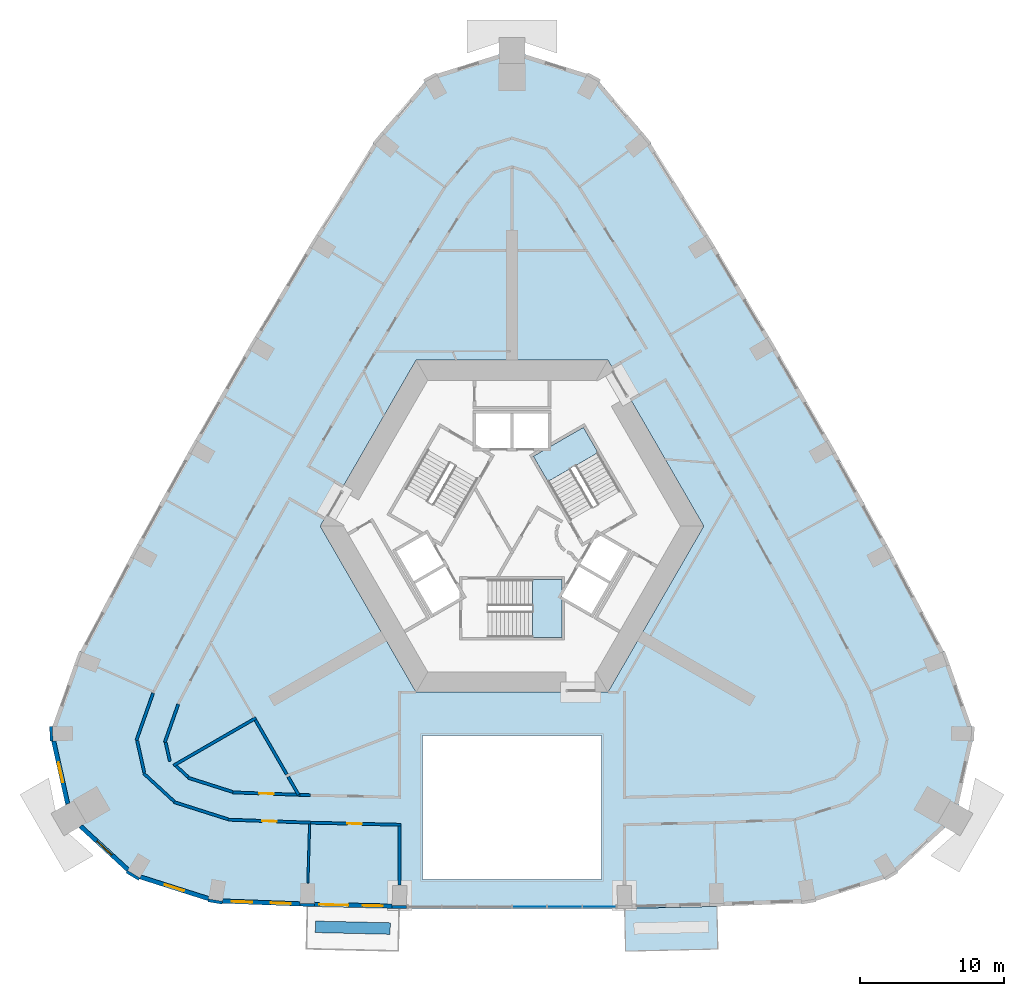
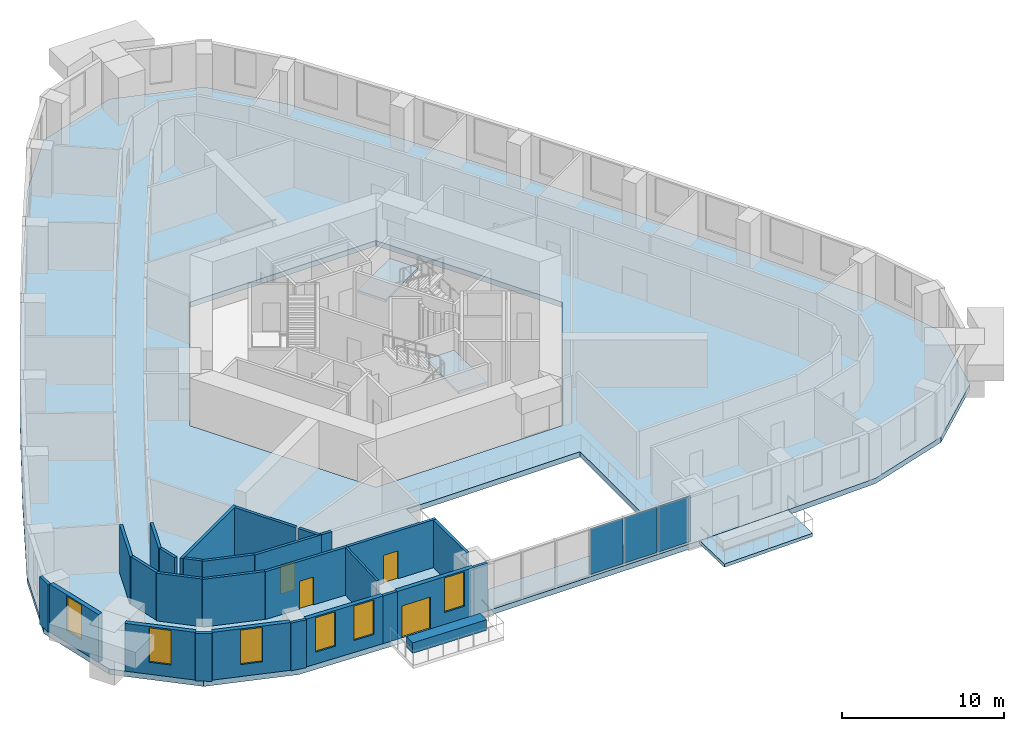
# One storey, part 3 of 13: 28 walls, 6 windows, 4 doors, 4 slabs, 3 plates, 10 openings, 3 elements without a shape of their own.
"""IFC4 building model written with IfcOpenShell, lengths in metres."""

from ifc_helpers import new_model, si_unit, direction, frame, frame_2d, origin, origin_2d, place, context, subcontext, project, spatial, polyline, rectangle, outline, extrude, material, layer, layer_set, type_object, element, fill, aggregate, save


model = new_model("IFC4")

# Units and contexts
model_context = context("Model", 3, precision=1e-05, world=origin(), true_north=direction((0.0, 1.0)))
body_context = subcontext(model_context, "Body", "Model", "MODEL_VIEW")
ifc_project = project(units=[si_unit("LENGTHUNIT", "METRE"), si_unit("AREAUNIT", "SQUARE_METRE"), si_unit("VOLUMEUNIT", "CUBIC_METRE"), si_unit("PLANEANGLEUNIT", "RADIAN"), si_unit("MASSUNIT", "GRAM", prefix="KILO")], contexts=[model_context])

# Site, building, storey
site_placement = place(None, origin())
site = spatial("IfcSite", under=ifc_project, at=site_placement, CompositionType="ELEMENT")
building_placement = place(site_placement, origin())
building = spatial("IfcBuilding", under=site, at=building_placement, Name="Entoto Arch Interchange Tower", CompositionType="ELEMENT")
storey_placement = place(building_placement, frame((0.0, 0.0, 231.800048828125)))
storey = spatial("IfcBuildingStorey", under=building, at=storey_placement, Name="L52", CompositionType="ELEMENT", Elevation=231.800048828125)

# Slab
ifc_material_1 = material(Name="Board-marked precast concrete C50/60", Category="concrete")
ifc_layer_1 = layer(ifc_material_1, 0.25)
ifc_layer_set_1 = layer_set([ifc_layer_1], Name="Board-marked precast concrete C50/60")
slab_type_1 = type_object("IfcSlabType", Name="BALCONY DECK PRECAST 250", PredefinedType="FLOOR", material=ifc_layer_set_1)
slab_1_placement = place(storey_placement, frame((0.0, 0.0, -0.25)))
element("IfcSlab", 1, at=slab_1_placement, inside=storey, type_object=slab_type_1, Name="Planted balcony S-04 L52", PredefinedType="FLOOR", context=body_context, shape_type="SweptSolid", body=[
    extrude(outline(polyline([(7.800048828125, -23.97802734375), (14.18505859375, -23.830078125), (14.2529296875, -26.779052734375), (7.867919921875, -26.927001953125), (7.800048828125, -23.97802734375)])), origin(), (0.0, 0.0, 1.0), 0.25),
])

# Stair, slab
ifc_material_2 = material(Name="Concrete C40/50", Category="concrete")
stair_type = type_object("IfcStairType", Name="EXIT STAIR RC 1800", PredefinedType="HALF_TURN_STAIR", material=ifc_material_2)
stair_1_placement = place(storey_placement, origin())
stair_1 = element("IfcStair", 2, at=stair_1_placement, inside=storey, type_object=stair_type, Name="L52 Exit stair S", PredefinedType="HALF_TURN_STAIR")
ifc_layer_2 = layer(ifc_material_2, 0.199951171875)
ifc_layer_set_2 = layer_set([ifc_layer_2], Name="Concrete C40/50")
slab_type_2 = type_object("IfcSlabType", Name="EXIT STAIR LANDING RC 200", PredefinedType="LANDING", material=ifc_layer_set_2)
slab_2_placement = place(storey_placement, frame((0.0, 0.0, 1.89990234375)))
slab_2 = element("IfcSlab", 3, at=slab_2_placement, type_object=slab_type_2, Name="ST-S landing 1", PredefinedType="LANDING", context=body_context, shape_type="SweptSolid", body=[
    extrude(outline(polyline([(1.429931640625, -5.199951171875), (3.449951171875, -5.199951171875), (3.449951171875, -1.199951171875), (1.429931640625, -1.199951171875), (1.429931640625, -5.199951171875)])), origin(), (0.0, 0.0, 1.0), 0.199951171875),
])
aggregate(stair_1, [slab_2])

stair_2_placement = place(storey_placement, origin())
stair_2 = element("IfcStair", 4, at=stair_2_placement, inside=storey, type_object=stair_type, Name="L52 Exit stair NE", PredefinedType="HALF_TURN_STAIR")
slab_3_placement = place(storey_placement, frame((0.0, 0.0, 1.89990234375)))
slab_3 = element("IfcSlab", 5, at=slab_3_placement, type_object=slab_type_2, Name="ST-NE landing 1", PredefinedType="LANDING", context=body_context, shape_type="SweptSolid", body=[
    extrude(outline(polyline([(5.953369140625, 7.58837890625), (4.943359375, 9.337890625), (1.479248046875, 7.337890625), (2.4892578125, 5.58837890625), (5.953369140625, 7.58837890625)])), origin(), (0.0, 0.0, 1.0), 0.199951171875),
])
aggregate(stair_2, [slab_3])

# Curtain wall, plates
ifc_material_3 = material(Name="Aluminium, anodised", Category="aluminium")
curtain_wall_type = type_object("IfcCurtainWallType", Name="CURTAIN WALL ATRIUM", PredefinedType="NOTDEFINED", material=ifc_material_3)
curtain_wall_placement = place(storey_placement, origin())
curtain_wall = element("IfcCurtainWall", 6, at=curtain_wall_placement, inside=storey, type_object=curtain_wall_type, Name="Atrium glazing S-03 L52", PredefinedType="NOTDEFINED")
ifc_material_4 = material(Name="Clear glass, low-e double glazed", Category="glass")
ifc_layer_3 = layer(ifc_material_4, 0.031982421875)
ifc_layer_set_3 = layer_set([ifc_layer_3], Name="Clear glass, low-e double glazed")
plate_type = type_object("IfcPlateType", Name="GLAZING PANEL ATRIUM 32", PredefinedType="CURTAIN_PANEL", material=ifc_layer_set_3)
plate_1_placement = place(storey_placement, frame((1.216552734375, -23.85302734375, 0.080078125), z_axis=(0.0, 0.0, 1.0), x_axis=(1.0, 0.0, 0.0)))
plate_1 = element("IfcPlate", 7, at=plate_1_placement, type_object=plate_type, Name="CWA panel 4.1", PredefinedType="CURTAIN_PANEL", context=body_context, shape_type="SweptSolid", body=[
    extrude(rectangle(XDim=2.3330078125, YDim=0.031982421875, at=origin_2d()), origin(), (0.0, 0.0, 1.0), 3.43994140625),
])
plate_2_placement = place(storey_placement, frame((3.6494140625, -23.85302734375, 0.080078125), z_axis=(0.0, 0.0, 1.0), x_axis=(1.0, 0.0, 0.0)))
plate_2 = element("IfcPlate", 8, at=plate_2_placement, type_object=plate_type, Name="CWA panel 5.1", PredefinedType="CURTAIN_PANEL", context=body_context, shape_type="SweptSolid", body=[
    extrude(rectangle(XDim=2.3330078125, YDim=0.031982421875, at=origin_2d()), origin(), (0.0, 0.0, 1.0), 3.43994140625),
])
plate_3_placement = place(storey_placement, frame((6.0576171875, -23.85302734375, 0.080078125), z_axis=(0.0, 0.0, 1.0), x_axis=(1.0, 0.0, 0.0)))
plate_3 = element("IfcPlate", 9, at=plate_3_placement, type_object=plate_type, Name="CWA panel 6.1", PredefinedType="CURTAIN_PANEL", context=body_context, shape_type="SweptSolid", body=[
    extrude(rectangle(XDim=2.282958984375, YDim=0.031982421875, at=origin_2d()), origin(), (0.0, 0.0, 1.0), 3.43994140625),
])
aggregate(curtain_wall, [plate_1, plate_2, plate_3])

# Slab
ifc_layer_4 = layer(ifc_material_2, 0.39990234375)
ifc_layer_set_4 = layer_set([ifc_layer_4], Name="Concrete C40/50")
slab_type_3 = type_object("IfcSlabType", Name="Post-tensioned flat plate 400 C40/50", PredefinedType="FLOOR", material=ifc_layer_set_4)
slab_4_placement = place(storey_placement, frame((0.0, 0.0, -0.400146484375)))
element("IfcSlab", 10, at=slab_4_placement, inside=storey, type_object=slab_type_3, Name="Floor slab L52", PredefinedType="FLOOR", context=body_context, shape_type="SweptSolid", body=[
    extrude(outline(polyline([(-20.569091796875, -23.594970703125), (-14.18505859375, -23.830078125), (-7.800048828125, -23.97802734375), (7.800048828125, -23.97802734375), (14.18505859375, -23.830078125), (20.569091796875, -23.594970703125), (26.299072265625, -21.77099609375), (30.698974609375, -17.72412109375), (32.00390625, -11.889892578125), (30.14306640625, -6.6240234375), (26.18701171875, 0.818115234375), (22.18408203125, 8.041015625), (18.054931640625, 15.19091796875), (13.802001953125, 22.27001953125), (9.3349609375, 29.4169921875), (5.705078125, 33.660888671875), (0.0, 35.447998046875), (-5.705078125, 33.660888671875), (-9.3349609375, 29.4169921875), (-13.802001953125, 22.27001953125), (-18.054931640625, 15.19091796875), (-22.18408203125, 8.041015625), (-26.18701171875, 0.818115234375), (-30.14306640625, -6.6240234375), (-32.00390625, -11.889892578125), (-30.698974609375, -17.72412109375), (-26.299072265625, -21.77099609375), (-20.569091796875, -23.594970703125)]), holes=[polyline([(6.199951171875, -21.97802734375), (6.199951171875, -12.0), (-6.199951171875, -12.0), (-6.199951171875, -21.97802734375), (6.199951171875, -21.97802734375)]), polyline([(13.279052734375, 2.5), (6.639892578125, 14.0), (-6.639892578125, 14.0), (-13.279052734375, 2.5), (-6.639892578125, -9.0), (6.639892578125, -9.0), (13.279052734375, 2.5)])]), origin(), (0.0, 0.0, 1.0), 0.400146484375),
])

# Walls
ifc_material_5 = material(Name="Gypsum board partition on steel studs", Category="steel")
ifc_layer_5 = layer(ifc_material_5, 0.14990234375)
ifc_layer_set_5 = layer_set([ifc_layer_5], Name="Gypsum board partition on steel studs")
wall_type_1 = type_object("IfcWallType", Name="PARTITION 150", PredefinedType="PARTITIONING", material=ifc_layer_set_5)
wall_1_placement = place(storey_placement, frame((-14.013916015625, -18.132080078125, 0.0), z_axis=(0.0, 0.0, 1.0), x_axis=(-0.029914181802, -0.999552470722, 0.0)))
element("IfcWall", 11, at=wall_1_placement, inside=storey, type_object=wall_type_1, Name="wall:L52:p126", PredefinedType="PARTITIONING", context=body_context, shape_type="SweptSolid", body=[
    extrude(rectangle(XDim=4.08056640625, YDim=0.14990234375, at=frame_2d((2.040283203125, 0.0))), origin(), (0.0, 0.0, 1.0), 3.599853515625),
])
ifc_layer_6 = layer(ifc_material_5, 0.199951171875)
ifc_layer_set_6 = layer_set([ifc_layer_6], Name="Gypsum board partition on steel studs")
wall_type_2 = type_object("IfcWallType", Name="PARTITION 200", PredefinedType="PARTITIONING", material=ifc_layer_set_6)
wall_2_placement = place(storey_placement, frame((-14.678955078125, -16.10693359375, 0.0), z_axis=(0.0, 0.0, 1.0), x_axis=(0.999351224613, -0.036015689132, 0.0)))
element("IfcWall", 12, at=wall_2_placement, inside=storey, type_object=wall_type_2, Name="wall:L52:p032", PredefinedType="PARTITIONING", context=body_context, shape_type="SweptSolid", body=[
    extrude(rectangle(XDim=0.725341796875, YDim=0.199951171875, at=frame_2d((0.36279296875, 0.0))), origin(), (0.0, 0.0, 1.0), 3.599853515625),
])
wall_3_placement = place(storey_placement, frame((-23.10791015625, -9.824951171875, 0.0), z_axis=(0.0, 0.0, 1.0), x_axis=(-0.333166995935, -0.942867834227, 0.0)))
element("IfcWall", 13, at=wall_3_placement, inside=storey, type_object=wall_type_2, Name="wall:L52:p035", PredefinedType="PARTITIONING", context=body_context, shape_type="SweptSolid", body=[
    extrude(rectangle(XDim=2.7978515625, YDim=0.199951171875, at=frame_2d((1.39892578125, 0.0))), origin(), (0.0, 0.0, 1.0), 3.599853515625),
])
wall_4_placement = place(storey_placement, frame((-23.985107421875, -12.467041015625, 0.0), z_axis=(0.0, 0.0, 1.0), x_axis=(0.2188980935, -0.975747725932, 0.0)))
element("IfcWall", 14, at=wall_4_placement, inside=storey, type_object=wall_type_2, Name="wall:L52:p036", PredefinedType="PARTITIONING", context=body_context, shape_type="SweptSolid", body=[
    extrude(rectangle(XDim=1.352783203125, YDim=0.199951171875, at=frame_2d((0.67626953125, 0.0))), origin(), (0.0, 0.0, 1.0), 3.599853515625),
])
wall_5_placement = place(storey_placement, frame((-23.27197265625, -14.093017578125, 0.0), z_axis=(0.0, 0.0, 1.0), x_axis=(0.735605495063, -0.677410182705, 0.0)))
element("IfcWall", 15, at=wall_5_placement, inside=storey, type_object=wall_type_2, Name="wall:L52:p037", PredefinedType="PARTITIONING", context=body_context, shape_type="SweptSolid", body=[
    extrude(rectangle(XDim=1.166259765625, YDim=0.199951171875, at=frame_2d((0.5830078125, 0.0))), origin(), (0.0, 0.0, 1.0), 3.599853515625),
])
wall_6_placement = place(storey_placement, frame((-22.43505859375, -14.919921875, 0.0), z_axis=(0.0, 0.0, 1.0), x_axis=(0.952831275662, -0.303500510906, 0.0)))
element("IfcWall", 16, at=wall_6_placement, inside=storey, type_object=wall_type_2, Name="wall:L52:p038", PredefinedType="PARTITIONING", context=body_context, shape_type="SweptSolid", body=[
    extrude(rectangle(XDim=3.2587890625, YDim=0.199951171875, at=frame_2d((1.62939453125, 0.0))), origin(), (0.0, 0.0, 1.0), 3.599853515625),
])

# Wall, opening, door
wall_7_placement = place(storey_placement, frame((-19.3349609375, -15.93505859375, 0.0), z_axis=(0.0, 0.0, 1.0), x_axis=(0.999319348495, -0.036889561184, 0.0)))
wall_7 = element("IfcWall", 17, at=wall_7_placement, inside=storey, type_object=wall_type_2, Name="wall:L52:p039", PredefinedType="PARTITIONING", context=body_context, shape_type="SweptSolid", body=[
    extrude(rectangle(XDim=4.6591796875, YDim=0.199951171875, at=frame_2d((2.32958984375, 0.0))), origin(), (0.0, 0.0, 1.0), 3.599853515625),
])
opening_1_placement = place(wall_7_placement, frame((1.830078125, 0.0, 0.0)))
opening_1 = element("IfcOpeningElement", 18, at=opening_1_placement, cuts=wall_7, Name="Opening L52-D23", PredefinedType="OPENING", context=body_context, shape_type="SweptSolid", body=[
    extrude(rectangle(XDim=1.0, YDim=2.10009765625, at=frame_2d((0.5, 1.050048828125))), frame((0.0, 0.10986328125, 0.0), z_axis=(0.0, -1.0, 0.0), x_axis=(1.0, 0.0, 0.0)), (0.0, 0.0, 1.0), 0.219970703125),
])
ifc_material_6 = material(Name="Timber door leaf in Steel S235 frame", Category="steel")
door_type_1 = type_object("IfcDoorType", Name="DOOR DS-10 1000x2100", OperationType="SINGLE_SWING_LEFT", PredefinedType="DOOR", material=ifc_material_6)
door_1_placement = place(opening_1_placement, origin())
door_1 = element("IfcDoor", 19, at=door_1_placement, inside=storey, type_object=door_type_1, Name="door:L52:23", OperationType="SINGLE_SWING_LEFT", OverallHeight=2.10009765625, OverallWidth=1.0, PredefinedType="DOOR", context=body_context, shape_type="SweptSolid", body=[
    extrude(rectangle(XDim=1.0, YDim=2.10009765625, at=frame_2d((0.5, 1.050048828125))), frame((0.0, 0.02490234375, 0.0), z_axis=(0.0, -1.0, 0.0), x_axis=(1.0, 0.0, 0.0)), (0.0, 0.0, 1.0), 0.050048828125),
])
fill(opening_1, door_1)

wall_8_placement = place(storey_placement, frame((-13.93603515625, -18.034912109375, 0.0), z_axis=(0.0, 0.0, 1.0), x_axis=(-0.999322629955, 0.036800560578, 0.0)))
wall_8 = element("IfcWall", 20, at=wall_8_placement, inside=storey, type_object=wall_type_2, Name="wall:L52:p065", PredefinedType="PARTITIONING", context=body_context, shape_type="SweptSolid", body=[
    extrude(rectangle(XDim=5.73193359375, YDim=0.199951171875, at=frame_2d((2.865966796875, 0.0))), origin(), (0.0, 0.0, 1.0), 3.599853515625),
])
opening_2_placement = place(wall_8_placement, frame((2.365966796875, 0.0, 0.0)))
opening_2 = element("IfcOpeningElement", 21, at=opening_2_placement, cuts=wall_8, Name="Opening L52-D13", PredefinedType="OPENING", context=body_context, shape_type="SweptSolid", body=[
    extrude(rectangle(XDim=1.0, YDim=2.10009765625, at=frame_2d((0.5, 1.050048828125))), frame((0.0, 0.10986328125, 0.0), z_axis=(0.0, -1.0, 0.0), x_axis=(1.0, 0.0, 0.0)), (0.0, 0.0, 1.0), 0.219970703125),
])
door_2_placement = place(opening_2_placement, origin())
door_2 = element("IfcDoor", 22, at=door_2_placement, inside=storey, type_object=door_type_1, Name="door:L52:13", OperationType="SINGLE_SWING_LEFT", OverallHeight=2.10009765625, OverallWidth=1.0, PredefinedType="DOOR", context=body_context, shape_type="SweptSolid", body=[
    extrude(rectangle(XDim=1.0, YDim=2.10009765625, at=frame_2d((0.5, 1.050048828125))), frame((0.0, 0.02490234375, 0.0), z_axis=(0.0, -1.0, 0.0), x_axis=(1.0, 0.0, 0.0)), (0.0, 0.0, 1.0), 0.050048828125),
])
fill(opening_2, door_2)

# Walls
wall_9_placement = place(storey_placement, frame((-19.659912109375, -17.798095703125, 0.0), z_axis=(0.0, 0.0, 1.0), x_axis=(-0.952838618572, 0.303477457083, 0.0)))
element("IfcWall", 23, at=wall_9_placement, inside=storey, type_object=wall_type_2, Name="wall:L52:p066", PredefinedType="PARTITIONING", context=body_context, shape_type="SweptSolid", body=[
    extrude(rectangle(XDim=3.93798828125, YDim=0.199951171875, at=frame_2d((1.968994140625, 0.0))), origin(), (0.0, 0.0, 1.0), 3.599853515625),
])
wall_10_placement = place(storey_placement, frame((-23.39111328125, -16.56591796875, 0.0), z_axis=(0.0, 0.0, 1.0), x_axis=(-0.735846476242, 0.677148405745, 0.0)))
element("IfcWall", 24, at=wall_10_placement, inside=storey, type_object=wall_type_2, Name="wall:L52:p067", PredefinedType="PARTITIONING", context=body_context, shape_type="SweptSolid", body=[
    extrude(rectangle(XDim=2.878173828125, YDim=0.199951171875, at=frame_2d((1.43896484375, 0.0))), origin(), (0.0, 0.0, 1.0), 3.599853515625),
])
wall_11_placement = place(storey_placement, frame((-25.45703125, -14.5869140625, 0.0), z_axis=(0.0, 0.0, 1.0), x_axis=(-0.2183498404, 0.975870558628, 0.0)))
element("IfcWall", 25, at=wall_11_placement, inside=storey, type_object=wall_type_2, Name="wall:L52:p068", PredefinedType="PARTITIONING", context=body_context, shape_type="SweptSolid", body=[
    extrude(rectangle(XDim=2.29443359375, YDim=0.199951171875, at=frame_2d((1.147216796875, 0.0))), origin(), (0.0, 0.0, 1.0), 3.599853515625),
])
wall_12_placement = place(storey_placement, frame((-26.012939453125, -12.344970703125, 0.0), z_axis=(0.0, 0.0, 1.0), x_axis=(0.333116923704, 0.942885526001, 0.0)))
element("IfcWall", 26, at=wall_12_placement, inside=storey, type_object=wall_type_2, Name="wall:L52:p069", PredefinedType="PARTITIONING", context=body_context, shape_type="SweptSolid", body=[
    extrude(rectangle(XDim=3.48486328125, YDim=0.199951171875, at=frame_2d((1.742431640625, 0.0))), origin(), (0.0, 0.0, 1.0), 3.599853515625),
])

# Wall, opening, door
wall_13_placement = place(storey_placement, frame((-7.699951171875, -18.178955078125, 0.0), z_axis=(0.0, 0.0, 1.0), x_axis=(-0.999729714353, 0.023248618029, 0.0)))
wall_13 = element("IfcWall", 27, at=wall_13_placement, inside=storey, type_object=wall_type_2, Name="wall:L52:p070", PredefinedType="PARTITIONING", context=body_context, shape_type="SweptSolid", body=[
    extrude(rectangle(XDim=6.23779296875, YDim=0.199951171875, at=frame_2d((3.118896484375, 0.0))), origin(), (0.0, 0.0, 1.0), 3.599853515625),
])
opening_3_placement = place(wall_13_placement, frame((2.694091796875, 0.0, 0.0)))
opening_3 = element("IfcOpeningElement", 28, at=opening_3_placement, cuts=wall_13, Name="Opening L52-D14", PredefinedType="OPENING", context=body_context, shape_type="SweptSolid", body=[
    extrude(rectangle(XDim=1.0, YDim=2.10009765625, at=frame_2d((0.5, 1.050048828125))), frame((0.0, 0.10986328125, 0.0), z_axis=(0.0, -1.0, 0.0), x_axis=(1.0, 0.0, 0.0)), (0.0, 0.0, 1.0), 0.219970703125),
])
door_3_placement = place(opening_3_placement, origin())
door_3 = element("IfcDoor", 29, at=door_3_placement, inside=storey, type_object=door_type_1, Name="door:L52:14", OperationType="SINGLE_SWING_LEFT", OverallHeight=2.10009765625, OverallWidth=1.0, PredefinedType="DOOR", context=body_context, shape_type="SweptSolid", body=[
    extrude(rectangle(XDim=1.0, YDim=2.10009765625, at=frame_2d((0.5, 1.050048828125))), frame((0.0, 0.02490234375, 0.0), z_axis=(0.0, -1.0, 0.0), x_axis=(1.0, 0.0, 0.0)), (0.0, 0.0, 1.0), 0.050048828125),
])
fill(opening_3, door_3)

# Walls
wall_14_placement = place(storey_placement, frame((-7.800048828125, -22.35791015625, 0.0), z_axis=(0.0, 0.0, 1.0), x_axis=(0.0, 1.0, 0.0)))
element("IfcWall", 30, at=wall_14_placement, inside=storey, type_object=wall_type_2, Name="wall:L52:p103", PredefinedType="PARTITIONING", context=body_context, shape_type="SweptSolid", body=[
    extrude(rectangle(XDim=4.08203125, YDim=0.199951171875, at=frame_2d((2.041015625, 0.0))), origin(), (0.0, 0.0, 1.0), 3.599853515625),
])
wall_15_placement = place(storey_placement, frame((-15.59912109375, -14.681884765625, 0.0), z_axis=(0.0, 0.0, 1.0), x_axis=(-0.500033987016, 0.866005780482, 0.0)))
element("IfcWall", 31, at=wall_15_placement, inside=storey, type_object=wall_type_2, Name="wall:L52:p111", PredefinedType="PARTITIONING", context=body_context, shape_type="SweptSolid", body=[
    extrude(rectangle(XDim=4.341552734375, YDim=0.199951171875, at=frame_2d((2.1708984375, 0.0))), origin(), (0.0, 0.0, 1.0), 3.599853515625),
])
wall_16_placement = place(storey_placement, frame((-14.778076171875, -16.10302734375, 0.0), z_axis=(0.0, 0.0, 1.0), x_axis=(-0.500495009846, 0.865739421027, 0.0)))
element("IfcWall", 32, at=wall_16_placement, inside=storey, type_object=wall_type_2, Name="wall:L52:p112", PredefinedType="PARTITIONING", context=body_context, shape_type="SweptSolid", body=[
    extrude(rectangle(XDim=1.4404296875, YDim=0.199951171875, at=frame_2d((0.72021484375, 0.0))), origin(), (0.0, 0.0, 1.0), 3.599853515625),
])
wall_17_placement = place(storey_placement, frame((-17.73291015625, -10.784912109375, 0.0), z_axis=(0.0, 0.0, 1.0), x_axis=(-0.865978611197, -0.500081038382, 0.0)))
element("IfcWall", 33, at=wall_17_placement, inside=storey, type_object=wall_type_2, Name="wall:L52:p113", PredefinedType="PARTITIONING", context=body_context, shape_type="SweptSolid", body=[
    extrude(rectangle(XDim=6.5810546875, YDim=0.199951171875, at=frame_2d((3.29052734375, 0.0))), origin(), (0.0, 0.0, 1.0), 3.599853515625),
])
ifc_layer_7 = layer(ifc_material_1, 0.800048828125)
ifc_layer_set_7 = layer_set([ifc_layer_7], Name="Board-marked precast concrete C50/60")
wall_type_3 = type_object("IfcWallType", Name="PLANTER RC 800 Afrocarpus falcatus", PredefinedType="STANDARD", material=ifc_layer_set_7)
wall_18_placement = place(storey_placement, frame((-13.617919921875, -25.243896484375, 0.0), z_axis=(0.0, 0.0, 1.0), x_axis=(0.999731876607, -0.023155450677, 0.0)))
element("IfcWall", 34, at=wall_18_placement, inside=storey, type_object=wall_type_3, Name="Planter S-02 L52", PredefinedType="STANDARD", context=body_context, shape_type="SweptSolid", body=[
    extrude(rectangle(XDim=5.1875, YDim=0.800048828125, at=frame_2d((2.59375, 0.0))), origin(), (0.0, 0.0, 1.0), 0.800048828125),
])

# Wall, openings, windows
ifc_material_7 = material(Name="Welded tuff (ignimbrite) cladding, warm buff", Category="masonry")
ifc_layer_8 = layer(ifc_material_7, 0.300048828125)
ifc_layer_set_8 = layer_set([ifc_layer_8], Name="Welded tuff (ignimbrite) cladding, warm buff")
wall_type_4 = type_object("IfcWallType", Name="STONE INFILL WALL 300", PredefinedType="STANDARD", material=ifc_layer_set_8)
wall_19_placement = place(storey_placement, frame((-20.0400390625, -23.464111328125, 0.0), z_axis=(0.0, 0.0, 1.0), x_axis=(0.999318693414, -0.036907302717, 0.0)))
wall_19 = element("IfcWall", 35, at=wall_19_placement, inside=storey, type_object=wall_type_4, Name="Facade wall S-01 L52", PredefinedType="STANDARD", context=body_context, shape_type="SweptSolid", body=[
    extrude(rectangle(XDim=5.36474609375, YDim=0.300048828125, at=frame_2d((2.682373046875, 0.0))), origin(), (0.0, 0.0, 1.0), 3.599853515625),
])
opening_4_placement = place(wall_19_placement, frame((0.64111328125, 0.0, 0.89990234375)))
opening_4 = element("IfcOpeningElement", 36, at=opening_4_placement, cuts=wall_19, Name="Opening WO-B", PredefinedType="OPENING", context=body_context, shape_type="SweptSolid", body=[
    extrude(rectangle(XDim=1.39990234375, YDim=2.60009765625, at=frame_2d((0.699951171875, 1.300048828125))), frame((0.0, 0.16015625, 0.0), z_axis=(0.0, -1.0, 0.0), x_axis=(1.0, 0.0, 0.0)), (0.0, 0.0, 1.0), 0.320068359375),
])
opening_5_placement = place(wall_19_placement, frame((3.322998046875, 0.0, 0.89990234375)))
opening_5 = element("IfcOpeningElement", 37, at=opening_5_placement, cuts=wall_19, Name="Opening WO-B", PredefinedType="OPENING", context=body_context, shape_type="SweptSolid", body=[
    extrude(rectangle(XDim=1.39990234375, YDim=2.60009765625, at=frame_2d((0.699951171875, 1.300048828125))), frame((0.0, 0.16015625, 0.0), z_axis=(0.0, -1.0, 0.0), x_axis=(1.0, 0.0, 0.0)), (0.0, 0.0, 1.0), 0.320068359375),
])
window_type = type_object("IfcWindowType", Name="WINDOW WO-B 1400x2600", PartitioningType="DOUBLE_PANEL_VERTICAL", PredefinedType="WINDOW", material=ifc_material_4)
window_1_placement = place(opening_4_placement, origin())
window_1 = element("IfcWindow", 38, at=window_1_placement, inside=storey, type_object=window_type, Name="Window WO-B S-01 L52", OverallHeight=2.60009765625, OverallWidth=1.39990234375, PartitioningType="SINGLE_PANEL", PredefinedType="WINDOW", context=body_context, shape_type="SweptSolid", body=[
    extrude(rectangle(XDim=1.39990234375, YDim=2.60009765625, at=frame_2d((0.699951171875, 1.300048828125))), frame((0.0, 0.030029296875, 0.0), z_axis=(0.0, -1.0, 0.0), x_axis=(1.0, 0.0, 0.0)), (0.0, 0.0, 1.0), 0.06005859375),
])
fill(opening_4, window_1)
window_2_placement = place(opening_5_placement, origin())
window_2 = element("IfcWindow", 39, at=window_2_placement, inside=storey, type_object=window_type, Name="Window WO-B S-01 L52", OverallHeight=2.60009765625, OverallWidth=1.39990234375, PartitioningType="SINGLE_PANEL", PredefinedType="WINDOW", context=body_context, shape_type="SweptSolid", body=[
    extrude(rectangle(XDim=1.39990234375, YDim=2.60009765625, at=frame_2d((0.699951171875, 1.300048828125))), frame((0.0, 0.030029296875, 0.0), z_axis=(0.0, -1.0, 0.0), x_axis=(1.0, 0.0, 0.0)), (0.0, 0.0, 1.0), 0.06005859375),
])
fill(opening_5, window_2)

# Wall, openings, door, window
wall_20_placement = place(storey_placement, frame((-13.680908203125, -23.69189453125, 0.0), z_axis=(0.0, 0.0, 1.0), x_axis=(0.999734766333, -0.023030349233, 0.0)))
wall_20 = element("IfcWall", 40, at=wall_20_placement, inside=storey, type_object=wall_type_4, Name="Facade wall S-02 L52", PredefinedType="STANDARD", context=body_context, shape_type="SweptSolid", body=[
    extrude(rectangle(XDim=5.38525390625, YDim=0.300048828125, at=frame_2d((2.692626953125, 0.0))), origin(), (0.0, 0.0, 1.0), 3.599853515625),
])
opening_6_placement = place(wall_20_placement, frame((0.345947265625, 0.0, 0.0)))
opening_6 = element("IfcOpeningElement", 41, at=opening_6_placement, cuts=wall_20, Name="Opening DB-S-02-L52", PredefinedType="OPENING", context=body_context, shape_type="SweptSolid", body=[
    extrude(rectangle(XDim=2.0, YDim=2.39990234375, at=frame_2d((1.0, 1.199951171875))), frame((0.0, 0.16015625, 0.0), z_axis=(0.0, -1.0, 0.0), x_axis=(1.0, 0.0, 0.0)), (0.0, 0.0, 1.0), 0.320068359375),
])
opening_7_placement = place(wall_20_placement, frame((3.339111328125, 0.0, 0.89990234375)))
opening_7 = element("IfcOpeningElement", 42, at=opening_7_placement, cuts=wall_20, Name="Opening WO-B", PredefinedType="OPENING", context=body_context, shape_type="SweptSolid", body=[
    extrude(rectangle(XDim=1.39990234375, YDim=2.60009765625, at=frame_2d((0.699951171875, 1.300048828125))), frame((0.0, 0.16015625, 0.0), z_axis=(0.0, -1.0, 0.0), x_axis=(1.0, 0.0, 0.0)), (0.0, 0.0, 1.0), 0.320068359375),
])
ifc_material_8 = material(Name="Aluminium and clear glass, anodised", Category="aluminium")
door_type_2 = type_object("IfcDoorType", Name="BALCONY DOOR DB 2000x2400", OperationType="SLIDING_TO_LEFT", PredefinedType="DOOR", material=ifc_material_8)
door_4_placement = place(opening_6_placement, origin())
door_4 = element("IfcDoor", 43, at=door_4_placement, inside=storey, type_object=door_type_2, Name="Balcony door S-02 L52", OperationType="SLIDING_TO_LEFT", OverallHeight=2.39990234375, OverallWidth=2.0, PredefinedType="DOOR", context=body_context, shape_type="SweptSolid", body=[
    extrude(rectangle(XDim=2.0, YDim=2.39990234375, at=frame_2d((1.0, 1.199951171875))), frame((0.0, 0.02490234375, 0.0), z_axis=(0.0, -1.0, 0.0), x_axis=(1.0, 0.0, 0.0)), (0.0, 0.0, 1.0), 0.050048828125),
])
fill(opening_6, door_4)
window_3_placement = place(opening_7_placement, origin())
window_3 = element("IfcWindow", 44, at=window_3_placement, inside=storey, type_object=window_type, Name="Window WO-B S-02 L52", OverallHeight=2.60009765625, OverallWidth=1.39990234375, PartitioningType="SINGLE_PANEL", PredefinedType="WINDOW", context=body_context, shape_type="SweptSolid", body=[
    extrude(rectangle(XDim=1.39990234375, YDim=2.60009765625, at=frame_2d((0.699951171875, 1.300048828125))), frame((0.0, 0.030029296875, 0.0), z_axis=(0.0, -1.0, 0.0), x_axis=(1.0, 0.0, 0.0)), (0.0, 0.0, 1.0), 0.06005859375),
])
fill(opening_7, window_3)

# Wall, opening, window
wall_21_placement = place(storey_placement, frame((-31.739990234375, -12.383056640625, 0.0), z_axis=(0.0, 0.0, 1.0), x_axis=(0.218179157422, -0.975908733062, 0.0)))
wall_21 = element("IfcWall", 45, at=wall_21_placement, inside=storey, type_object=wall_type_4, Name="Facade wall SW-02 L52", PredefinedType="STANDARD", context=body_context, shape_type="SweptSolid", body=[
    extrude(rectangle(XDim=4.4501953125, YDim=0.300048828125, at=frame_2d((2.22509765625, 0.0))), origin(), (0.0, 0.0, 1.0), 3.599853515625),
])
opening_8_placement = place(wall_21_placement, frame((1.52490234375, 0.0, 0.89990234375)))
opening_8 = element("IfcOpeningElement", 46, at=opening_8_placement, cuts=wall_21, Name="Opening WO-B", PredefinedType="OPENING", context=body_context, shape_type="SweptSolid", body=[
    extrude(rectangle(XDim=1.39990234375, YDim=2.60009765625, at=frame_2d((0.699951171875, 1.300048828125))), frame((0.0, 0.16015625, 0.0), z_axis=(0.0, -1.0, 0.0), x_axis=(1.0, 0.0, 0.0)), (0.0, 0.0, 1.0), 0.320068359375),
])
window_4_placement = place(opening_8_placement, origin())
window_4 = element("IfcWindow", 47, at=window_4_placement, inside=storey, type_object=window_type, Name="Window WO-B SW-02 L52", OverallHeight=2.60009765625, OverallWidth=1.39990234375, PartitioningType="SINGLE_PANEL", PredefinedType="WINDOW", context=body_context, shape_type="SweptSolid", body=[
    extrude(rectangle(XDim=1.39990234375, YDim=2.60009765625, at=frame_2d((0.699951171875, 1.300048828125))), frame((0.0, 0.030029296875, 0.0), z_axis=(0.0, -1.0, 0.0), x_axis=(1.0, 0.0, 0.0)), (0.0, 0.0, 1.0), 0.06005859375),
])
fill(opening_8, window_4)

wall_22_placement = place(storey_placement, frame((-29.868896484375, -18.282958984375, 0.0), z_axis=(0.0, 0.0, 1.0), x_axis=(0.735927731403, -0.67706009641, 0.0)))
wall_22 = element("IfcWall", 48, at=wall_22_placement, inside=storey, type_object=wall_type_4, Name="Facade wall SW-03 L52", PredefinedType="STANDARD", context=body_context, shape_type="SweptSolid", body=[
    extrude(rectangle(XDim=4.449951171875, YDim=0.300048828125, at=frame_2d((2.22509765625, 0.0))), origin(), (0.0, 0.0, 1.0), 3.599853515625),
])
opening_9_placement = place(wall_22_placement, frame((1.52490234375, 0.0, 0.89990234375)))
opening_9 = element("IfcOpeningElement", 49, at=opening_9_placement, cuts=wall_22, Name="Opening WO-B", PredefinedType="OPENING", context=body_context, shape_type="SweptSolid", body=[
    extrude(rectangle(XDim=1.39990234375, YDim=2.60009765625, at=frame_2d((0.699951171875, 1.300048828125))), frame((0.0, 0.16015625, 0.0), z_axis=(0.0, -1.0, 0.0), x_axis=(1.0, 0.0, 0.0)), (0.0, 0.0, 1.0), 0.320068359375),
])
window_5_placement = place(opening_9_placement, origin())
window_5 = element("IfcWindow", 50, at=window_5_placement, inside=storey, type_object=window_type, Name="Window WO-B SW-03 L52", OverallHeight=2.60009765625, OverallWidth=1.39990234375, PartitioningType="SINGLE_PANEL", PredefinedType="WINDOW", context=body_context, shape_type="SweptSolid", body=[
    extrude(rectangle(XDim=1.39990234375, YDim=2.60009765625, at=frame_2d((0.699951171875, 1.300048828125))), frame((0.0, 0.030029296875, 0.0), z_axis=(0.0, -1.0, 0.0), x_axis=(1.0, 0.0, 0.0)), (0.0, 0.0, 1.0), 0.06005859375),
])
fill(opening_9, window_5)

wall_23_placement = place(storey_placement, frame((-25.72900390625, -21.794921875, 0.0), z_axis=(0.0, 0.0, 1.0), x_axis=(0.952886818649, -0.30332608006, 0.0)))
wall_23 = element("IfcWall", 51, at=wall_23_placement, inside=storey, type_object=wall_type_4, Name="Facade wall SW-04 L52", PredefinedType="STANDARD", context=body_context, shape_type="SweptSolid", body=[
    extrude(rectangle(XDim=4.938720703125, YDim=0.300048828125, at=frame_2d((2.46923828125, 0.0))), origin(), (0.0, 0.0, 1.0), 3.599853515625),
])
opening_10_placement = place(wall_23_placement, frame((1.76904296875, 0.0, 0.89990234375)))
opening_10 = element("IfcOpeningElement", 52, at=opening_10_placement, cuts=wall_23, Name="Opening WO-B", PredefinedType="OPENING", context=body_context, shape_type="SweptSolid", body=[
    extrude(rectangle(XDim=1.39990234375, YDim=2.60009765625, at=frame_2d((0.699951171875, 1.300048828125))), frame((0.0, 0.16015625, 0.0), z_axis=(0.0, -1.0, 0.0), x_axis=(1.0, 0.0, 0.0)), (0.0, 0.0, 1.0), 0.320068359375),
])
window_6_placement = place(opening_10_placement, origin())
window_6 = element("IfcWindow", 53, at=window_6_placement, inside=storey, type_object=window_type, Name="Window WO-B SW-04 L52", OverallHeight=2.60009765625, OverallWidth=1.39990234375, PartitioningType="SINGLE_PANEL", PredefinedType="WINDOW", context=body_context, shape_type="SweptSolid", body=[
    extrude(rectangle(XDim=1.39990234375, YDim=2.60009765625, at=frame_2d((0.699951171875, 1.300048828125))), frame((0.0, 0.030029296875, 0.0), z_axis=(0.0, -1.0, 0.0), x_axis=(1.0, 0.0, 0.0)), (0.0, 0.0, 1.0), 0.06005859375),
])
fill(opening_10, window_6)

# Walls
ifc_layer_9 = layer(ifc_material_7, 0.199951171875)
ifc_layer_set_9 = layer_set([ifc_layer_9], Name="Welded tuff (ignimbrite) cladding, warm buff")
wall_type_5 = type_object("IfcWallType", Name="STONE PIER CLADDING 200", PredefinedType="STANDARD", material=ifc_layer_set_9)
wall_24_placement = place(storey_placement, frame((-21.044921875, -23.412109375, 0.0), z_axis=(0.0, 0.0, 1.0), x_axis=(0.985631544579, -0.168909615862, 0.0)))
element("IfcWall", 54, at=wall_24_placement, inside=storey, type_object=wall_type_5, Name="Stone pier S01 L52", PredefinedType="STANDARD", context=body_context, shape_type="SweptSolid", body=[
    extrude(rectangle(XDim=1.000244140625, YDim=0.199951171875, at=frame_2d((0.5, 0.0))), origin(), (0.0, 0.0, 1.0), 3.599853515625),
])
wall_25_placement = place(storey_placement, frame((-14.680908203125, -23.712890625, 0.0), z_axis=(0.0, 0.0, 1.0), x_axis=(0.999415245245, -0.034193092457, 0.0)))
element("IfcWall", 55, at=wall_25_placement, inside=storey, type_object=wall_type_5, Name="Stone pier S02 L52", PredefinedType="STANDARD", context=body_context, shape_type="SweptSolid", body=[
    extrude(rectangle(XDim=0.99951171875, YDim=0.199951171875, at=frame_2d((0.499755859375, 0.0))), origin(), (0.0, 0.0, 1.0), 3.599853515625),
])
wall_26_placement = place(storey_placement, frame((-8.299072265625, -23.87109375, 0.0), z_axis=(0.0, 0.0, 1.0), x_axis=(0.999903186316, -0.013914668364, 0.0)))
element("IfcWall", 56, at=wall_26_placement, inside=storey, type_object=wall_type_5, Name="Stone pier S03 L52", PredefinedType="STANDARD", context=body_context, shape_type="SweptSolid", body=[
    extrude(rectangle(XDim=1.0, YDim=0.199951171875, at=frame_2d((0.5, 0.0))), origin(), (0.0, 0.0, 1.0), 3.599853515625),
])
wall_27_placement = place(storey_placement, frame((-31.916015625, -11.387939453125, 0.0), z_axis=(0.0, 0.0, 1.0), x_axis=(0.023942303888, -0.999713341956, 0.0)))
element("IfcWall", 57, at=wall_27_placement, inside=storey, type_object=wall_type_5, Name="Stone pier SW1 L52", PredefinedType="STANDARD", context=body_context, shape_type="SweptSolid", body=[
    extrude(rectangle(XDim=0.999267578125, YDim=0.199951171875, at=frame_2d((0.49951171875, 0.0))), origin(), (0.0, 0.0, 1.0), 3.599853515625),
])
wall_28_placement = place(storey_placement, frame((-26.674072265625, -21.425048828125, 0.0), z_axis=(0.0, 0.0, 1.0), x_axis=(0.853679739553, -0.520798331677, 0.0)))
element("IfcWall", 58, at=wall_28_placement, inside=storey, type_object=wall_type_5, Name="Stone pier SW3 L52", PredefinedType="STANDARD", context=body_context, shape_type="SweptSolid", body=[
    extrude(rectangle(XDim=1.00048828125, YDim=0.199951171875, at=frame_2d((0.500244140625, 0.0))), origin(), (0.0, 0.0, 1.0), 3.599853515625),
])

save(model, "model.ifc")
